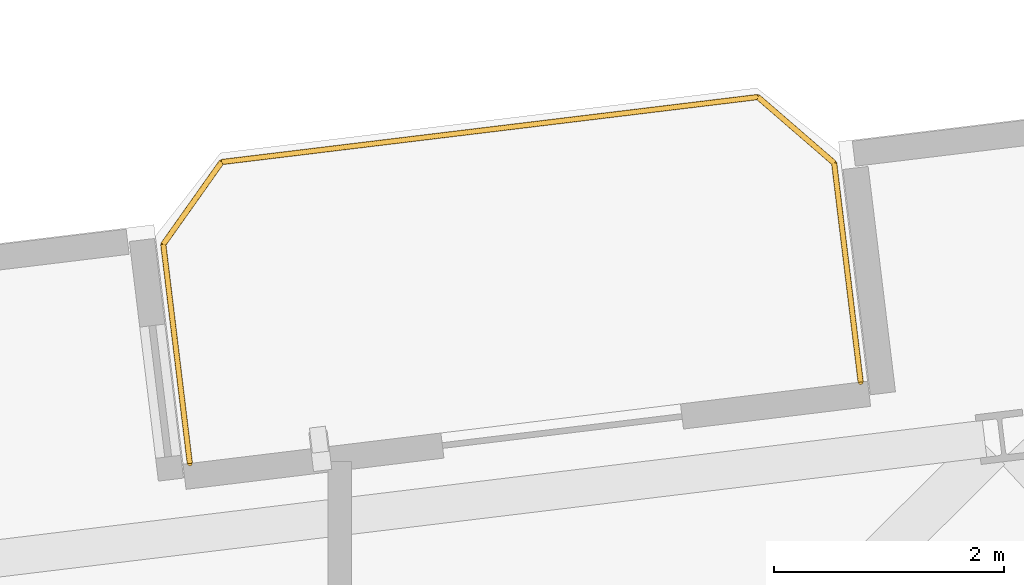
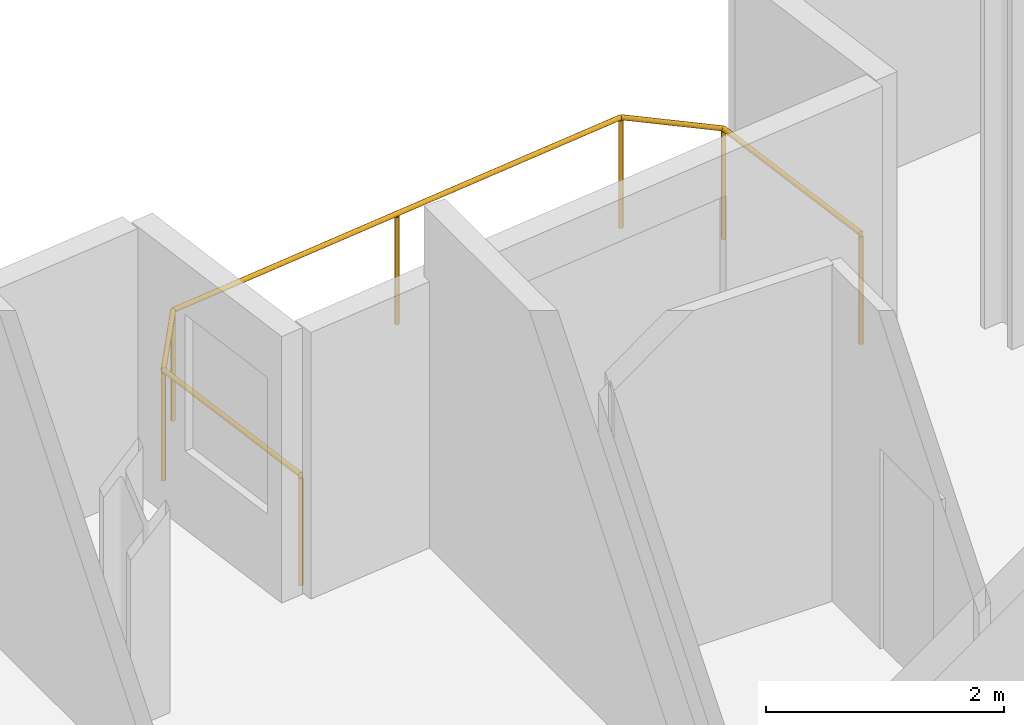
# One storey, part 23 of 23: 1 railing.
"""IFC4 building model written with IfcOpenShell, lengths in metres."""

import ifcopenshell
import ifcopenshell.guid

model = None  # the IFC model being written
_history = None  # IfcOwnerHistory: only IFC2X3 demands one
_inside = {}  # id of a spatial element -> (the spatial element, [elements in it])
_under = {}  # id of a project, library or spatial element -> (it, [spatial elements below it])
_declared = {}  # id of a project -> (the project, [libraries it declares])
_typed = {}  # id of a type object -> (the type object, [elements of that type])
_made_of = {}  # id of a material, layer set ... -> (it, [elements and type objects made of it])


def new_model(schema):
    """Start an empty IFC model of exactly this schema.

    Asked for "IFC4X3", IfcOpenShell would pick the latest addendum, in which some entities
    have other attributes; the version numbers below select the first issue.
    IFC2X3 requires an IfcOwnerHistory on every rooted entity: one is made here for all.
    """
    global model, _history
    if schema == "IFC4X3":
        model = ifcopenshell.file(schema_version=(4, 3, 0, 0))
    else:
        model = ifcopenshell.file(schema=schema)
    _inside.clear()
    _under.clear()
    _declared.clear()
    _typed.clear()
    _made_of.clear()
    _history = None
    if model.schema == "IFC2X3":
        org = make("IfcOrganization", Name="unknown")
        user = make(
            "IfcPersonAndOrganization",
            ThePerson=make("IfcPerson", FamilyName="unknown"),
            TheOrganization=org,
        )
        app = make(
            "IfcApplication",
            ApplicationDeveloper=org,
            Version="unknown",
            ApplicationFullName="unknown",
            ApplicationIdentifier="unknown",
        )
        _history = make(
            "IfcOwnerHistory",
            OwningUser=user,
            OwningApplication=app,
            ChangeAction="ADDED",
            CreationDate=0,
        )
    return model


def make(cls, **values):
    """One entity of the class cls with the attributes given. An attribute that is None is left unset."""
    return model.create_entity(
        cls, **{name: value for name, value in values.items() if value is not None}
    )


def rooted(cls, **values):
    """An entity with a GlobalId (a new one), such as an element, a storey or a relation."""
    return make(cls, GlobalId=ifcopenshell.guid.new(), OwnerHistory=_history, **values)


def si_unit(unit_type, name, prefix=None):
    """IfcSIUnit, for example si_unit("LENGTHUNIT", "METRE", prefix="MILLI")."""
    return make("IfcSIUnit", UnitType=unit_type, Prefix=prefix, Name=name)


def assignment(units):
    """IfcUnitAssignment: the units of a project."""
    return None if units is None else make("IfcUnitAssignment", Units=units)


def point(xyz):
    """IfcCartesianPoint."""
    return None if xyz is None else make("IfcCartesianPoint", Coordinates=xyz)


def direction(xyz):
    """IfcDirection."""
    return None if xyz is None else make("IfcDirection", DirectionRatios=xyz)


def frame(location, z_axis=None, x_axis=None):
    """IfcAxis2Placement3D, a coordinate frame: its origin and axes. An axis left out is left unset."""
    return make(
        "IfcAxis2Placement3D",
        Location=point(location),
        Axis=direction(z_axis),
        RefDirection=direction(x_axis),
    )


def frame_2d(location, x_axis=None):
    """IfcAxis2Placement2D, a coordinate frame in the plane: its origin and x axis."""
    return make(
        "IfcAxis2Placement2D", Location=point(location), RefDirection=direction(x_axis)
    )


def origin():
    """The frame at (0, 0, 0) with its axes left unset."""
    return frame((0.0, 0.0, 0.0))


def origin_2d():
    """The frame at (0, 0) in the plane with its x axis left unset."""
    return frame_2d((0.0, 0.0))


def place(relative_to, where):
    """IfcLocalPlacement: puts the frame where relative to a parent placement (None: the world)."""
    return make(
        "IfcLocalPlacement", PlacementRelTo=relative_to, RelativePlacement=where
    )


def context(
    kind, dimensions, precision=None, world=None, true_north=None, identifier=None
):
    """IfcGeometricRepresentationContext, for example the 3D "Model" context."""
    return make(
        "IfcGeometricRepresentationContext",
        ContextIdentifier=identifier,
        ContextType=kind,
        CoordinateSpaceDimension=dimensions,
        Precision=precision,
        WorldCoordinateSystem=world,
        TrueNorth=true_north,
    )


def subcontext(parent, identifier, kind, view, scale=None):
    """IfcGeometricRepresentationSubContext, for example "Body" below "Model"."""
    return make(
        "IfcGeometricRepresentationSubContext",
        ContextIdentifier=identifier,
        ContextType=kind,
        ParentContext=parent,
        TargetScale=scale,
        TargetView=view,
    )


def project(units=None, contexts=None):
    """IfcProject with its units and contexts."""
    return rooted(
        "IfcProject",
        Name="project",
        RepresentationContexts=contexts,
        UnitsInContext=assignment(units),
    )


def spatial(cls, under=None, at=None, **own):
    """A site, building, storey or space (cls), placed at a placement, below another one or the project."""
    s = rooted(cls, ObjectPlacement=at, **own)
    if under is not None:
        _under.setdefault(under.id(), (under, []))[1].append(s)
    return s


def profile(cls, at=None, kind="AREA", **sizes):
    """A parametric profile (cls). Its sizes go by their IFC names, for example OverallWidth=200.0."""
    return make(cls, ProfileType=kind, Position=at, **sizes)


def circle(**sizes):
    """IfcCircleProfileDef."""
    return profile("IfcCircleProfileDef", **sizes)


def extrude(swept, where, along, depth):
    """IfcExtrudedAreaSolid: the profile swept, set in the frame where, extruded along a direction by depth."""
    return make(
        "IfcExtrudedAreaSolid",
        SweptArea=swept,
        Position=where,
        ExtrudedDirection=direction(along),
        Depth=depth,
    )


def shape(context_of_items, identifier, shape_type, items):
    """IfcShapeRepresentation: the items that make up one representation, for example the "Body"."""
    return make(
        "IfcShapeRepresentation",
        ContextOfItems=context_of_items,
        RepresentationIdentifier=identifier,
        RepresentationType=shape_type,
        Items=items,
    )


def material(Name=None, Category=None):
    """IfcMaterial."""
    return make("IfcMaterial", Name=Name, Category=Category)


def made_of(thing, what):
    """Note that an element or type object is made of a material, layer set ...; save() writes the relation."""
    if what is not None:
        _made_of.setdefault(what.id(), (what, []))[1].append(thing)
    return thing


def type_object(cls, material=None, **own):
    """A type object (cls), such as IfcWallType, which elements share."""
    return made_of(rooted(cls, **own), material)


def element(
    cls,
    number,
    at=None,
    inside=None,
    cuts=None,
    type_object=None,
    material=None,
    context=None,
    identifier="Body",
    shape_type=None,
    held_by="IfcProductDefinitionShape",
    body=None,
    shapes=None,
    **own,
):
    """One element of the class cls, such as IfcWall. Its Tag is "e" and its number.

    at: its placement. inside: the storey or other place that contains it. cuts: it is an
    opening in that element (IfcRelVoidsElement). A single representation is given by context,
    identifier, shape_type and body (its items); several are given by shapes. held_by: the class
    of the entity that holds the representations. save() writes the other relations.
    """
    e = rooted(cls, Tag="e%d" % number, ObjectPlacement=at, **own)
    if body is not None:
        shapes = [shape(context, identifier, shape_type, body)]
    if shapes is not None:
        e.Representation = make(held_by, Representations=shapes)
    if inside is not None:
        _inside.setdefault(inside.id(), (inside, []))[1].append(e)
    if cuts is not None:
        rooted(
            "IfcRelVoidsElement", RelatingBuildingElement=cuts, RelatedOpeningElement=e
        )
    if type_object is not None:
        _typed.setdefault(type_object.id(), (type_object, []))[1].append(e)
    return made_of(e, material)


def aggregate(whole, parts):
    """IfcRelAggregates: a whole, such as a stair, and the parts it consists of."""
    return rooted("IfcRelAggregates", RelatingObject=whole, RelatedObjects=parts)


def save(model, path):
    """Write the relations noted so far, then the file.

    IfcRelAggregates (storeys below a building ...), IfcRelContainedInSpatialStructure (elements
    in a storey), IfcRelDefinesByType, IfcRelAssociatesMaterial and IfcRelDeclares: one each for
    every whole, place, type object, material and project.
    """
    for whole, parts in _under.values():
        aggregate(whole, parts)
    for where, things in _inside.values():
        rooted(
            "IfcRelContainedInSpatialStructure",
            RelatedElements=things,
            RelatingStructure=where,
        )
    for kind, things in _typed.values():
        rooted("IfcRelDefinesByType", RelatedObjects=things, RelatingType=kind)
    for what, things in _made_of.values():
        rooted("IfcRelAssociatesMaterial", RelatedObjects=things, RelatingMaterial=what)
    for by, libraries in _declared.values():
        rooted("IfcRelDeclares", RelatingContext=by, RelatedDefinitions=libraries)
    model.write(path)


model = new_model("IFC4")

# Units and contexts
model_context = context("Model", 3, precision=1e-05, world=origin(), true_north=direction((0.0, 1.0)))
body_context = subcontext(model_context, "Body", "Model", "MODEL_VIEW")
ifc_project = project(units=[si_unit("LENGTHUNIT", "METRE"), si_unit("AREAUNIT", "SQUARE_METRE"), si_unit("VOLUMEUNIT", "CUBIC_METRE"), si_unit("PLANEANGLEUNIT", "RADIAN"), si_unit("MASSUNIT", "GRAM", prefix="KILO")], contexts=[model_context])

# Site, building, storey
site_placement = place(None, origin())
site = spatial("IfcSite", under=ifc_project, at=site_placement, CompositionType="ELEMENT")
building_placement = place(site_placement, origin())
building = spatial("IfcBuilding", under=site, at=building_placement, Name="Varnelok Gate Tower", CompositionType="ELEMENT")
storey_placement = place(building_placement, frame((0.0, 0.0, 182.0)))
storey = spatial("IfcBuildingStorey", under=building, at=storey_placement, Name="L46", CompositionType="ELEMENT", Elevation=182.0)

# Railing
ifc_material = material(Name="Low-E Laminated Double Glazing IGU", Category="glass")
railing_type = type_object("IfcRailingType", Name="RL-BALC-1150", PredefinedType="BALUSTRADE", material=ifc_material)
railing_placement = place(storey_placement, frame((48.19384765625, 46.335205078125, 0.0)))
element("IfcRailing", 1, at=railing_placement, inside=storey, type_object=railing_type, Name="L46 North Terrace Balustrade 6", PredefinedType="BALUSTRADE", context=body_context, shape_type="SweptSolid", body=[
    extrude(circle(Radius=0.02392578125, at=origin_2d()), frame((0.0, 0.0, 1.1259765625), z_axis=(-0.120293392036, 0.992738384386, 0.0), x_axis=(-0.992738384386, -0.120293392036, 0.0)), (0.0, 0.0, 1.0), 1.919921875),
    extrude(circle(Radius=0.02392578125, at=origin_2d()), frame((-0.23095703125, 1.906005859375, 1.1259765625), z_axis=(0.577971037086, 0.816057277579, 0.0), x_axis=(-0.816057277579, 0.577971037086, 0.0)), (0.0, 0.0, 1.0), 0.877685546875),
    extrude(circle(Radius=0.02392578125, at=origin_2d()), frame((0.2763671875, 2.622314453125, 1.1259765625), z_axis=(0.99273133746, 0.120351533534, 0.0), x_axis=(-0.120351533534, 0.99273133746, 0.0)), (0.0, 0.0, 1.0), 4.7001953125),
    extrude(circle(Radius=0.02392578125, at=origin_2d()), frame((4.9423828125, 3.18798828125, 1.1259765625), z_axis=(0.756303655992, -0.654220742513, 0.0), x_axis=(0.654220742513, 0.756303655992, 0.0)), (0.0, 0.0, 1.0), 0.877685546875),
    extrude(circle(Radius=0.02392578125, at=origin_2d()), frame((5.606201171875, 2.61376953125, 1.1259765625), z_axis=(0.120293392036, -0.992738384386, 0.0), x_axis=(0.992738384386, 0.120293392036, 0.0)), (0.0, 0.0, 1.0), 1.919921875),
    extrude(circle(Radius=0.02099609375, at=origin_2d()), origin(), (0.0, 0.0, 1.0), 1.101806640625),
    extrude(circle(Radius=0.02099609375, at=origin_2d()), frame((-0.23095703125, 1.906005859375, 0.0)), (0.0, 0.0, 1.0), 1.101806640625),
    extrude(circle(Radius=0.02099609375, at=origin_2d()), frame((0.2763671875, 2.622314453125, 0.0)), (0.0, 0.0, 1.0), 1.101806640625),
    extrude(circle(Radius=0.02099609375, at=origin_2d()), frame((2.609375, 2.9052734375, 0.0)), (0.0, 0.0, 1.0), 1.101806640625),
    extrude(circle(Radius=0.02099609375, at=origin_2d()), frame((4.9423828125, 3.18798828125, 0.0)), (0.0, 0.0, 1.0), 1.101806640625),
    extrude(circle(Radius=0.02099609375, at=origin_2d()), frame((5.606201171875, 2.61376953125, 0.0)), (0.0, 0.0, 1.0), 1.101806640625),
    extrude(circle(Radius=0.02099609375, at=origin_2d()), frame((5.837158203125, 0.707763671875, 0.0)), (0.0, 0.0, 1.0), 1.101806640625),
])

save(model, "model.ifc")
